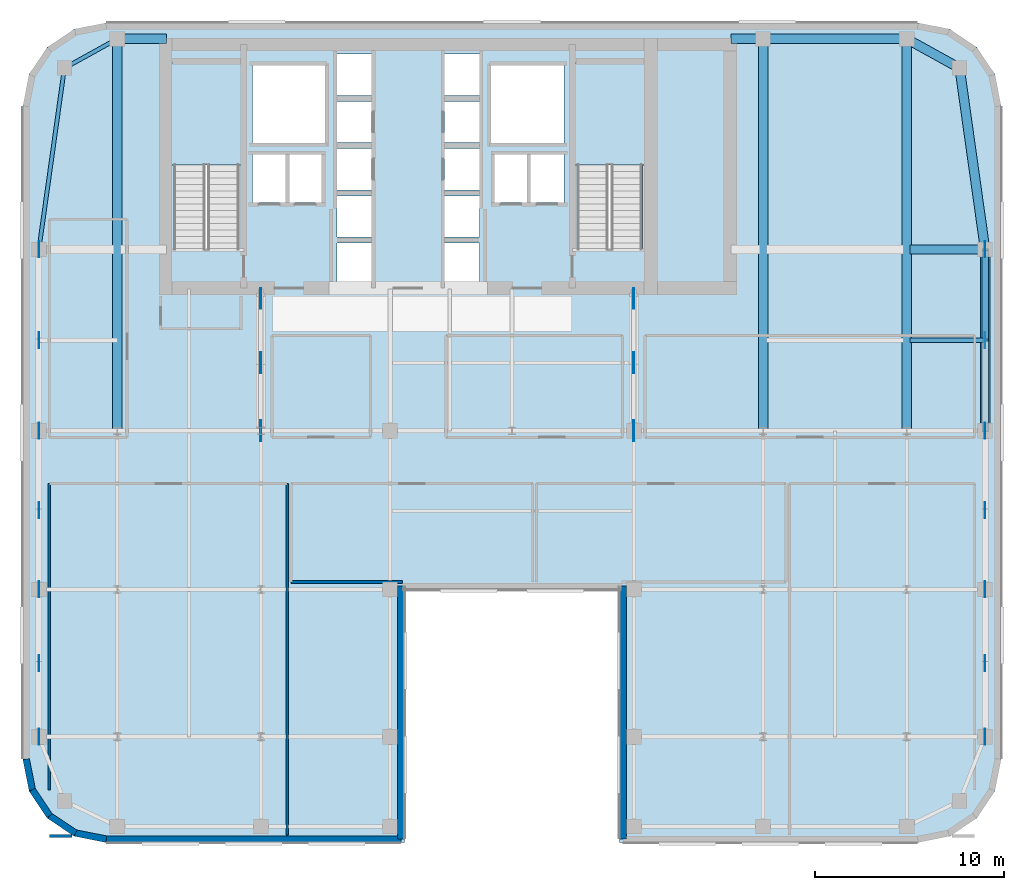
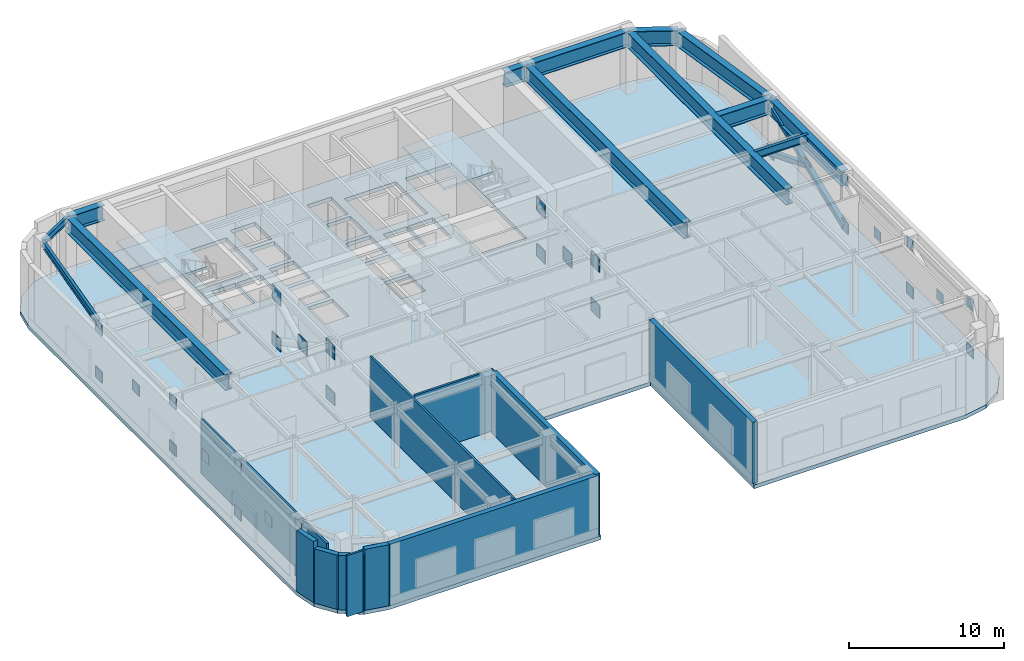
# One storey, part 4 of 12: 32 plates, 13 beams, 11 walls, 3 slabs, 2 members, 2 elements without a shape of their own.
"""IFC4 building model written with IfcOpenShell, lengths in metres."""

import ifcopenshell
import ifcopenshell.guid

model = None  # the IFC model being written
_history = None  # IfcOwnerHistory: only IFC2X3 demands one
_inside = {}  # id of a spatial element -> (the spatial element, [elements in it])
_under = {}  # id of a project, library or spatial element -> (it, [spatial elements below it])
_declared = {}  # id of a project -> (the project, [libraries it declares])
_typed = {}  # id of a type object -> (the type object, [elements of that type])
_made_of = {}  # id of a material, layer set ... -> (it, [elements and type objects made of it])


def new_model(schema):
    """Start an empty IFC model of exactly this schema.

    Asked for "IFC4X3", IfcOpenShell would pick the latest addendum, in which some entities
    have other attributes; the version numbers below select the first issue.
    IFC2X3 requires an IfcOwnerHistory on every rooted entity: one is made here for all.
    """
    global model, _history
    if schema == "IFC4X3":
        model = ifcopenshell.file(schema_version=(4, 3, 0, 0))
    else:
        model = ifcopenshell.file(schema=schema)
    _inside.clear()
    _under.clear()
    _declared.clear()
    _typed.clear()
    _made_of.clear()
    _history = None
    if model.schema == "IFC2X3":
        org = make("IfcOrganization", Name="unknown")
        user = make(
            "IfcPersonAndOrganization",
            ThePerson=make("IfcPerson", FamilyName="unknown"),
            TheOrganization=org,
        )
        app = make(
            "IfcApplication",
            ApplicationDeveloper=org,
            Version="unknown",
            ApplicationFullName="unknown",
            ApplicationIdentifier="unknown",
        )
        _history = make(
            "IfcOwnerHistory",
            OwningUser=user,
            OwningApplication=app,
            ChangeAction="ADDED",
            CreationDate=0,
        )
    return model


def make(cls, **values):
    """One entity of the class cls with the attributes given. An attribute that is None is left unset."""
    return model.create_entity(
        cls, **{name: value for name, value in values.items() if value is not None}
    )


def rooted(cls, **values):
    """An entity with a GlobalId (a new one), such as an element, a storey or a relation."""
    return make(cls, GlobalId=ifcopenshell.guid.new(), OwnerHistory=_history, **values)


def si_unit(unit_type, name, prefix=None):
    """IfcSIUnit, for example si_unit("LENGTHUNIT", "METRE", prefix="MILLI")."""
    return make("IfcSIUnit", UnitType=unit_type, Prefix=prefix, Name=name)


def assignment(units):
    """IfcUnitAssignment: the units of a project."""
    return None if units is None else make("IfcUnitAssignment", Units=units)


def point(xyz):
    """IfcCartesianPoint."""
    return None if xyz is None else make("IfcCartesianPoint", Coordinates=xyz)


def direction(xyz):
    """IfcDirection."""
    return None if xyz is None else make("IfcDirection", DirectionRatios=xyz)


def frame(location, z_axis=None, x_axis=None):
    """IfcAxis2Placement3D, a coordinate frame: its origin and axes. An axis left out is left unset."""
    return make(
        "IfcAxis2Placement3D",
        Location=point(location),
        Axis=direction(z_axis),
        RefDirection=direction(x_axis),
    )


def frame_2d(location, x_axis=None):
    """IfcAxis2Placement2D, a coordinate frame in the plane: its origin and x axis."""
    return make(
        "IfcAxis2Placement2D", Location=point(location), RefDirection=direction(x_axis)
    )


def origin():
    """The frame at (0, 0, 0) with its axes left unset."""
    return frame((0.0, 0.0, 0.0))


def origin_2d():
    """The frame at (0, 0) in the plane with its x axis left unset."""
    return frame_2d((0.0, 0.0))


def place(relative_to, where):
    """IfcLocalPlacement: puts the frame where relative to a parent placement (None: the world)."""
    return make(
        "IfcLocalPlacement", PlacementRelTo=relative_to, RelativePlacement=where
    )


def context(
    kind, dimensions, precision=None, world=None, true_north=None, identifier=None
):
    """IfcGeometricRepresentationContext, for example the 3D "Model" context."""
    return make(
        "IfcGeometricRepresentationContext",
        ContextIdentifier=identifier,
        ContextType=kind,
        CoordinateSpaceDimension=dimensions,
        Precision=precision,
        WorldCoordinateSystem=world,
        TrueNorth=true_north,
    )


def subcontext(parent, identifier, kind, view, scale=None):
    """IfcGeometricRepresentationSubContext, for example "Body" below "Model"."""
    return make(
        "IfcGeometricRepresentationSubContext",
        ContextIdentifier=identifier,
        ContextType=kind,
        ParentContext=parent,
        TargetScale=scale,
        TargetView=view,
    )


def project(units=None, contexts=None):
    """IfcProject with its units and contexts."""
    return rooted(
        "IfcProject",
        Name="project",
        RepresentationContexts=contexts,
        UnitsInContext=assignment(units),
    )


def spatial(cls, under=None, at=None, **own):
    """A site, building, storey or space (cls), placed at a placement, below another one or the project."""
    s = rooted(cls, ObjectPlacement=at, **own)
    if under is not None:
        _under.setdefault(under.id(), (under, []))[1].append(s)
    return s


def polyline(points):
    """IfcPolyline through the points."""
    return make("IfcPolyline", Points=[point(p) for p in points])


def profile(cls, at=None, kind="AREA", **sizes):
    """A parametric profile (cls). Its sizes go by their IFC names, for example OverallWidth=200.0."""
    return make(cls, ProfileType=kind, Position=at, **sizes)


def rectangle(**sizes):
    """IfcRectangleProfileDef."""
    return profile("IfcRectangleProfileDef", **sizes)


def hollow_rectangle(**sizes):
    """IfcRectangleHollowProfileDef."""
    return profile("IfcRectangleHollowProfileDef", **sizes)


def i_section(**sizes):
    """IfcIShapeProfileDef."""
    return profile("IfcIShapeProfileDef", **sizes)


def outline(outer, holes=None, kind="AREA"):
    """IfcArbitraryClosedProfileDef: a profile drawn as a closed curve; with holes, ...WithVoids."""
    if holes is None:
        return make("IfcArbitraryClosedProfileDef", ProfileType=kind, OuterCurve=outer)
    return make(
        "IfcArbitraryProfileDefWithVoids",
        ProfileType=kind,
        OuterCurve=outer,
        InnerCurves=holes,
    )


def extrude(swept, where, along, depth):
    """IfcExtrudedAreaSolid: the profile swept, set in the frame where, extruded along a direction by depth."""
    return make(
        "IfcExtrudedAreaSolid",
        SweptArea=swept,
        Position=where,
        ExtrudedDirection=direction(along),
        Depth=depth,
    )


def shape(context_of_items, identifier, shape_type, items):
    """IfcShapeRepresentation: the items that make up one representation, for example the "Body"."""
    return make(
        "IfcShapeRepresentation",
        ContextOfItems=context_of_items,
        RepresentationIdentifier=identifier,
        RepresentationType=shape_type,
        Items=items,
    )


def source(mapping_origin, context_of_items, identifier, shape_type, items):
    """IfcRepresentationMap: a shape defined once, which mapped items show again and again."""
    return make(
        "IfcRepresentationMap",
        MappingOrigin=mapping_origin,
        MappedRepresentation=shape(context_of_items, identifier, shape_type, items),
    )


def transform(
    local_origin,
    x_axis=None,
    y_axis=None,
    z_axis=None,
    scale=None,
    scale2=None,
    scale3=None,
    uniform=True,
):
    """IfcCartesianTransformationOperator3D, or its non-uniform kind. x_axis, y_axis, z_axis: its Axis1, 2, 3."""
    if uniform:
        return make(
            "IfcCartesianTransformationOperator3D",
            Axis1=direction(x_axis),
            Axis2=direction(y_axis),
            LocalOrigin=point(local_origin),
            Scale=scale,
            Axis3=direction(z_axis),
        )
    return make(
        "IfcCartesianTransformationOperator3DnonUniform",
        Axis1=direction(x_axis),
        Axis2=direction(y_axis),
        LocalOrigin=point(local_origin),
        Scale=scale,
        Axis3=direction(z_axis),
        Scale2=scale2,
        Scale3=scale3,
    )


def mapped(mapping_source, mapping_target):
    """IfcMappedItem: shows the shape of a source again, moved by a transform."""
    return make(
        "IfcMappedItem", MappingSource=mapping_source, MappingTarget=mapping_target
    )


def material(Name=None, Category=None):
    """IfcMaterial."""
    return make("IfcMaterial", Name=Name, Category=Category)


def layer(
    of_material, thickness, ventilated=None, Name=None, Category=None, Priority=None
):
    """IfcMaterialLayer: one layer of a wall or slab, of a material (None: an air gap)."""
    return make(
        "IfcMaterialLayer",
        Material=of_material,
        LayerThickness=thickness,
        IsVentilated=ventilated,
        Name=Name,
        Category=Category,
        Priority=Priority,
    )


def layer_set(layers, Name=None):
    """IfcMaterialLayerSet."""
    return make("IfcMaterialLayerSet", MaterialLayers=layers, LayerSetName=Name)


def material_profile(
    of_material, cross_section, Name=None, Category=None, Priority=None
):
    """IfcMaterialProfile: a cross section and its material."""
    return make(
        "IfcMaterialProfile",
        Name=Name,
        Material=of_material,
        Profile=cross_section,
        Priority=Priority,
        Category=Category,
    )


def profile_set(profiles, Name=None, composite=None):
    """IfcMaterialProfileSet."""
    return make(
        "IfcMaterialProfileSet",
        Name=Name,
        MaterialProfiles=profiles,
        CompositeProfile=composite,
    )


def made_of(thing, what):
    """Note that an element or type object is made of a material, layer set ...; save() writes the relation."""
    if what is not None:
        _made_of.setdefault(what.id(), (what, []))[1].append(thing)
    return thing


def type_object(cls, material=None, **own):
    """A type object (cls), such as IfcWallType, which elements share."""
    return made_of(rooted(cls, **own), material)


def type_shapes(of_type, sources):
    """Give a type object the sources (RepresentationMaps) that its elements show as mapped items."""
    of_type.RepresentationMaps = sources


def element(
    cls,
    number,
    at=None,
    inside=None,
    cuts=None,
    type_object=None,
    material=None,
    context=None,
    identifier="Body",
    shape_type=None,
    held_by="IfcProductDefinitionShape",
    body=None,
    shapes=None,
    **own,
):
    """One element of the class cls, such as IfcWall. Its Tag is "e" and its number.

    at: its placement. inside: the storey or other place that contains it. cuts: it is an
    opening in that element (IfcRelVoidsElement). A single representation is given by context,
    identifier, shape_type and body (its items); several are given by shapes. held_by: the class
    of the entity that holds the representations. save() writes the other relations.
    """
    e = rooted(cls, Tag="e%d" % number, ObjectPlacement=at, **own)
    if body is not None:
        shapes = [shape(context, identifier, shape_type, body)]
    if shapes is not None:
        e.Representation = make(held_by, Representations=shapes)
    if inside is not None:
        _inside.setdefault(inside.id(), (inside, []))[1].append(e)
    if cuts is not None:
        rooted(
            "IfcRelVoidsElement", RelatingBuildingElement=cuts, RelatedOpeningElement=e
        )
    if type_object is not None:
        _typed.setdefault(type_object.id(), (type_object, []))[1].append(e)
    return made_of(e, material)


def aggregate(whole, parts):
    """IfcRelAggregates: a whole, such as a stair, and the parts it consists of."""
    return rooted("IfcRelAggregates", RelatingObject=whole, RelatedObjects=parts)


def save(model, path):
    """Write the relations noted so far, then the file.

    IfcRelAggregates (storeys below a building ...), IfcRelContainedInSpatialStructure (elements
    in a storey), IfcRelDefinesByType, IfcRelAssociatesMaterial and IfcRelDeclares: one each for
    every whole, place, type object, material and project.
    """
    for whole, parts in _under.values():
        aggregate(whole, parts)
    for where, things in _inside.values():
        rooted(
            "IfcRelContainedInSpatialStructure",
            RelatedElements=things,
            RelatingStructure=where,
        )
    for kind, things in _typed.values():
        rooted("IfcRelDefinesByType", RelatedObjects=things, RelatingType=kind)
    for what, things in _made_of.values():
        rooted("IfcRelAssociatesMaterial", RelatedObjects=things, RelatingMaterial=what)
    for by, libraries in _declared.values():
        rooted("IfcRelDeclares", RelatingContext=by, RelatedDefinitions=libraries)
    model.write(path)


model = new_model("IFC4")

# Units and contexts
model_context = context("Model", 3, precision=1e-05, world=origin(), true_north=direction((0.0, 1.0)))
body_context = subcontext(model_context, "Body", "Model", "MODEL_VIEW")
ifc_project = project(units=[si_unit("LENGTHUNIT", "METRE"), si_unit("AREAUNIT", "SQUARE_METRE"), si_unit("VOLUMEUNIT", "CUBIC_METRE"), si_unit("PLANEANGLEUNIT", "RADIAN"), si_unit("MASSUNIT", "GRAM", prefix="KILO")], contexts=[model_context])

# Site, building, storey
site_placement = place(None, origin())
site = spatial("IfcSite", under=ifc_project, at=site_placement, CompositionType="ELEMENT")
building_placement = place(site_placement, origin())
building = spatial("IfcBuilding", under=site, at=building_placement, Name="Tolvann Quenvar Hotel", CompositionType="ELEMENT")
storey_placement = place(building_placement, frame((0.0, 0.0, 182.550048828125)))
storey = spatial("IfcBuildingStorey", under=building, at=storey_placement, Name="L48", CompositionType="ELEMENT", Elevation=182.550048828125)

# Beams
ifc_material_1 = material(Name="Steel Grade 350", Category="steel")
ifc_material_profile_1 = material_profile(ifc_material_1, i_section(OverallWidth=0.5, OverallDepth=1.199951171875, WebThickness=0.01611328125, FlangeThickness=0.0400390625, at=origin_2d()), Name="1200WB455")
ifc_profile_set_1 = profile_set([ifc_material_profile_1], Name="Steel Grade 350")
beam_type_1 = type_object("IfcBeamType", Name="BM_TG_1200WB455", PredefinedType="USERDEFINED", material=ifc_profile_set_1)
shared_shape_1 = source(origin(), body_context, "Body", "SweptSolid", [
    extrude(i_section(OverallWidth=0.5, OverallDepth=1.199951171875, WebThickness=0.01611328125, FlangeThickness=0.0400390625, at=origin_2d()), origin(), (0.0, 0.0, 1.0), 7.599853515625),
])
beam_1_placement = place(storey_placement, frame((49.39990234375, 45.14990234375, 4.219970703125), z_axis=(-1.0, 0.0, 0.0), x_axis=(0.0, -1.0, 0.0)))
element("IfcBeam", 1, at=beam_1_placement, inside=storey, type_object=beam_type_1, Name="BM-L48-FLK-E4", ObjectType="TRANSFER GIRDER", PredefinedType="USERDEFINED", context=body_context, shape_type="MappedRepresentation", body=[
    mapped(shared_shape_1, transform((0.0, 0.0, 0.0), x_axis=(1.0, 0.0, 0.0), y_axis=(0.0, 1.0, 0.0), z_axis=(0.0, 0.0, 1.0), scale=1.0)),
])
shared_shape_2 = source(origin(), body_context, "Body", "SweptSolid", [
    extrude(i_section(OverallWidth=0.5, OverallDepth=1.199951171875, WebThickness=0.01611328125, FlangeThickness=0.0400390625, at=origin_2d()), origin(), (0.0, 0.0, 1.0), 9.60009765625),
])
beam_2_placement = place(storey_placement, frame((53.550048828125, 24.39990234375, 4.219970703125), z_axis=(0.0, 1.0, 0.0), x_axis=(-1.0, 0.0, 0.0)))
element("IfcBeam", 2, at=beam_2_placement, inside=storey, type_object=beam_type_1, Name="BM-L48-FLK-E1", ObjectType="TRANSFER GIRDER", PredefinedType="USERDEFINED", context=body_context, shape_type="MappedRepresentation", body=[
    mapped(shared_shape_2, transform((0.0, 0.0, 0.0), x_axis=(1.0, 0.0, 0.0), y_axis=(0.0, 1.0, 0.0), z_axis=(0.0, 0.0, 1.0), scale=1.0)),
])
shared_shape_3 = source(origin(), body_context, "Body", "SweptSolid", [
    extrude(i_section(OverallWidth=0.5, OverallDepth=1.199951171875, WebThickness=0.01611328125, FlangeThickness=0.0400390625, at=origin_2d()), origin(), (0.0, 0.0, 1.0), 20.75),
])
for number, where, z_axis, x_axis, name in (
    (3, (7.60009765625, 24.39990234375, 4.219970703125), (0.0, 1.0, 0.0), (-1.0, 0.0, 0.0), "BM-L48-FLK-WC"),
    (4, (41.800048828125, 24.39990234375, 4.219970703125), (0.0, 1.0, 0.0), (-1.0, 0.0, 0.0), "BM-L48-FLK-EH"),
    (5, (49.39990234375, 24.39990234375, 4.219970703125), (0.0, 1.0, 0.0), (-1.0, 0.0, 0.0), "BM-L48-FLK-EI"),
):
    element("IfcBeam", number, at=place(storey_placement, frame(where, z_axis=z_axis, x_axis=x_axis)), inside=storey, type_object=beam_type_1, Name=name, ObjectType="TRANSFER GIRDER", PredefinedType="USERDEFINED", context=body_context, shape_type="MappedRepresentation", body=[
        mapped(shared_shape_3, transform((0.0, 0.0, 0.0), x_axis=(1.0, 0.0, 0.0), y_axis=(0.0, 1.0, 0.0), z_axis=(0.0, 0.0, 1.0), scale=1.0)),
    ])
shared_shape_4 = source(origin(), body_context, "Body", "SweptSolid", [
    extrude(i_section(OverallWidth=0.5, OverallDepth=1.199951171875, WebThickness=0.01611328125, FlangeThickness=0.0400390625, at=origin_2d()), origin(), (0.0, 0.0, 1.0), 2.599853515625),
])
beam_3_placement = place(storey_placement, frame((7.60009765625, 45.14990234375, 4.219970703125), z_axis=(1.0, 0.0, 0.0), x_axis=(0.0, 1.0, 0.0)))
element("IfcBeam", 6, at=beam_3_placement, inside=storey, type_object=beam_type_1, Name="BM-L48-CTW-CN", ObjectType="TRANSFER GIRDER", PredefinedType="USERDEFINED", context=body_context, shape_type="MappedRepresentation", body=[
    mapped(shared_shape_4, transform((0.0, 0.0, 0.0), x_axis=(1.0, 0.0, 0.0), y_axis=(0.0, 1.0, 0.0), z_axis=(0.0, 0.0, 1.0), scale=1.0)),
])
shared_shape_5 = source(origin(), body_context, "Body", "SweptSolid", [
    extrude(i_section(OverallWidth=0.5, OverallDepth=1.199951171875, WebThickness=0.01611328125, FlangeThickness=0.0400390625, at=origin_2d()), origin(), (0.0, 0.0, 1.0), 1.699951171875),
])
beam_4_placement = place(storey_placement, frame((40.10009765625, 45.14990234375, 4.219970703125), z_axis=(1.0, 0.0, 0.0), x_axis=(0.0, 1.0, 0.0)))
element("IfcBeam", 7, at=beam_4_placement, inside=storey, type_object=beam_type_1, Name="BM-L48-CTE-HN", ObjectType="TRANSFER GIRDER", PredefinedType="USERDEFINED", context=body_context, shape_type="MappedRepresentation", body=[
    mapped(shared_shape_5, transform((0.0, 0.0, 0.0), x_axis=(1.0, 0.0, 0.0), y_axis=(0.0, 1.0, 0.0), z_axis=(0.0, 0.0, 1.0), scale=1.0)),
])

# Members
ifc_material_2 = material(Name="Steel Grade 450 (C450L0)", Category="steel")
ifc_material_profile_2 = material_profile(ifc_material_2, hollow_rectangle(XDim=0.35009765625, YDim=0.35009765625, WallThickness=0.01611328125, at=origin_2d()), Name="350x350x16SHS")
ifc_profile_set_2 = profile_set([ifc_material_profile_2], Name="Steel Grade 450 (C450L0)")
member_type = type_object("IfcMemberType", Name="MEM_BELT_350SHS", PredefinedType="BRACE", material=ifc_profile_set_2)
shared_shape_6 = source(origin(), body_context, "Body", "SweptSolid", [
    extrude(hollow_rectangle(XDim=0.35009765625, YDim=0.35009765625, WallThickness=0.01611328125, at=origin_2d()), origin(), (0.0, 0.0, 1.0), 10.295654296875),
])
member_1_placement = place(storey_placement, frame((53.550048828125, 24.39990234375, 0.449951171875), z_axis=(0.0, 0.932443662189, 0.361315398016), x_axis=(-1.0, 0.0, 0.0)))
element("IfcMember", 8, at=member_1_placement, inside=storey, type_object=member_type, Name="Belt Truss Primary Brace L48-E3A", PredefinedType="BRACE", context=body_context, shape_type="MappedRepresentation", body=[
    mapped(shared_shape_6, transform((0.0, 0.0, 0.0), x_axis=(1.0, 0.0, 0.0), y_axis=(0.0, 1.0, 0.0), z_axis=(0.0, 0.0, 1.0), scale=1.0)),
])
shared_shape_7 = source(origin(), body_context, "Body", "SweptSolid", [
    extrude(hollow_rectangle(XDim=0.35009765625, YDim=0.35009765625, WallThickness=0.01611328125, at=origin_2d()), origin(), (0.0, 0.0, 1.0), 5.14794921875),
])
type_shapes(member_type, [shared_shape_6, shared_shape_7])
member_2_placement = place(storey_placement, frame((53.550048828125, 34.0, 0.449951171875), z_axis=(0.0, -0.932435672962, 0.36133601507), x_axis=(1.0, 0.0, 0.0)))
element("IfcMember", 9, at=member_2_placement, inside=storey, type_object=member_type, Name="Belt Truss Split Brace Lower L48-E3B1", PredefinedType="BRACE", context=body_context, shape_type="MappedRepresentation", body=[
    mapped(shared_shape_7, transform((0.0, 0.0, 0.0), x_axis=(1.0, 0.0, 0.0), y_axis=(0.0, 1.0, 0.0), z_axis=(0.0, 0.0, 1.0), scale=1.0)),
])

# Beams
ifc_material_profile_3 = material_profile(ifc_material_1, i_section(OverallWidth=0.208984375, OverallDepth=0.528076171875, WebThickness=0.009521484375, FlangeThickness=0.01318359375, FilletRadius=0.013916015625, at=origin_2d()), Name="530UB82")
ifc_profile_set_3 = profile_set([ifc_material_profile_3], Name="Steel Grade 350")
beam_type_2 = type_object("IfcBeamType", Name="BM_SPAND_530UB82", PredefinedType="SPANDREL", material=ifc_profile_set_3)
shared_shape_8 = source(origin(), body_context, "Body", "SweptSolid", [
    extrude(i_section(OverallWidth=0.208984375, OverallDepth=0.528076171875, WebThickness=0.009521484375, FlangeThickness=0.01318359375, FilletRadius=0.013916015625, at=origin_2d()), origin(), (0.0, 0.0, 1.0), 9.694580078125),
])
beam_5_placement = place(storey_placement, frame((3.449951171875, 34.0, 4.555908203125), z_axis=(0.139263320262, 0.990255385055, 0.0), x_axis=(-0.990255385055, 0.139263320262, 0.0)))
element("IfcBeam", 10, at=beam_5_placement, inside=storey, type_object=beam_type_2, Name="BM-L48-FLK-W2", PredefinedType="SPANDREL", context=body_context, shape_type="MappedRepresentation", body=[
    mapped(shared_shape_8, transform((0.0, 0.0, 0.0), x_axis=(1.0, 0.0, 0.0), y_axis=(0.0, 1.0, 0.0), z_axis=(0.0, 0.0, 1.0), scale=1.0)),
])
shared_shape_9 = source(origin(), body_context, "Body", "SweptSolid", [
    extrude(i_section(OverallWidth=0.208984375, OverallDepth=0.528076171875, WebThickness=0.009521484375, FlangeThickness=0.01318359375, FilletRadius=0.013916015625, at=origin_2d()), origin(), (0.0, 0.0, 1.0), 3.200439453125),
])
type_shapes(beam_type_2, [shared_shape_8, shared_shape_9])
beam_6_placement = place(storey_placement, frame((4.800048828125, 43.60009765625, 4.555908203125), z_axis=(0.87492264453, 0.48426270359, 0.0), x_axis=(-0.48426270359, 0.87492264453, 0.0)))
element("IfcBeam", 11, at=beam_6_placement, inside=storey, type_object=beam_type_2, Name="BM-L48-FLK-W3", PredefinedType="SPANDREL", context=body_context, shape_type="MappedRepresentation", body=[
    mapped(shared_shape_9, transform((0.0, 0.0, 0.0), x_axis=(1.0, 0.0, 0.0), y_axis=(0.0, 1.0, 0.0), z_axis=(0.0, 0.0, 1.0), scale=1.0)),
])
shared_shape_10 = source(origin(), body_context, "Body", "SweptSolid", [
    extrude(i_section(OverallWidth=0.5, OverallDepth=1.199951171875, WebThickness=0.01611328125, FlangeThickness=0.0400390625, at=origin_2d()), origin(), (0.0, 0.0, 1.0), 3.969970703125),
])
beam_7_placement = place(storey_placement, frame((49.580078125, 34.0, 4.219970703125), z_axis=(1.0, 0.0, 0.0), x_axis=(0.0, 1.0, 0.0)))
element("IfcBeam", 12, at=beam_7_placement, inside=storey, type_object=beam_type_1, Name="BM-L48-CTE-JD6C", ObjectType="TRANSFER GIRDER", PredefinedType="USERDEFINED", context=body_context, shape_type="MappedRepresentation", body=[
    mapped(shared_shape_10, transform((0.0, 0.0, 0.0), x_axis=(1.0, 0.0, 0.0), y_axis=(0.0, 1.0, 0.0), z_axis=(0.0, 0.0, 1.0), scale=1.0)),
])
shared_shape_11 = source(origin(), body_context, "Body", "SweptSolid", [
    extrude(i_section(OverallWidth=0.5, OverallDepth=1.199951171875, WebThickness=0.01611328125, FlangeThickness=0.0400390625, at=origin_2d()), origin(), (0.0, 0.0, 1.0), 9.694580078125),
])
beam_8_placement = place(storey_placement, frame((53.550048828125, 34.0, 4.219970703125), z_axis=(-0.139263320262, 0.990255385055, 0.0), x_axis=(-0.990255385055, -0.139263320262, 0.0)))
element("IfcBeam", 13, at=beam_8_placement, inside=storey, type_object=beam_type_1, Name="BM-L48-FLK-E2", ObjectType="TRANSFER GIRDER", PredefinedType="USERDEFINED", context=body_context, shape_type="MappedRepresentation", body=[
    mapped(shared_shape_11, transform((0.0, 0.0, 0.0), x_axis=(1.0, 0.0, 0.0), y_axis=(0.0, 1.0, 0.0), z_axis=(0.0, 0.0, 1.0), scale=1.0)),
])
shared_shape_12 = source(origin(), body_context, "Body", "SweptSolid", [
    extrude(i_section(OverallWidth=0.5, OverallDepth=1.199951171875, WebThickness=0.01611328125, FlangeThickness=0.0400390625, at=origin_2d()), origin(), (0.0, 0.0, 1.0), 3.200439453125),
])
type_shapes(beam_type_1, [shared_shape_1, shared_shape_2, shared_shape_3, shared_shape_4, shared_shape_5, shared_shape_10, shared_shape_11, shared_shape_12])
beam_9_placement = place(storey_placement, frame((52.199951171875, 43.60009765625, 4.219970703125), z_axis=(-0.87492264453, 0.48426270359, 0.0), x_axis=(-0.48426270359, -0.87492264453, 0.0)))
element("IfcBeam", 14, at=beam_9_placement, inside=storey, type_object=beam_type_1, Name="BM-L48-FLK-E3", ObjectType="TRANSFER GIRDER", PredefinedType="USERDEFINED", context=body_context, shape_type="MappedRepresentation", body=[
    mapped(shared_shape_12, transform((0.0, 0.0, 0.0), x_axis=(1.0, 0.0, 0.0), y_axis=(0.0, 1.0, 0.0), z_axis=(0.0, 0.0, 1.0), scale=1.0)),
])
ifc_material_profile_4 = material_profile(ifc_material_1, i_section(OverallWidth=0.22802734375, OverallDepth=0.60205078125, WebThickness=0.010498046875, FlangeThickness=0.014892578125, FilletRadius=0.013916015625, at=origin_2d()), Name="610UB101")
ifc_profile_set_4 = profile_set([ifc_material_profile_4], Name="Steel Grade 350")
beam_type_3 = type_object("IfcBeamType", Name="BM_GIRD_610UB101", PredefinedType="BEAM", material=ifc_profile_set_4)
shared_shape_13 = source(origin(), body_context, "Body", "SweptSolid", [
    extrude(i_section(OverallWidth=0.22802734375, OverallDepth=0.60205078125, WebThickness=0.010498046875, FlangeThickness=0.014892578125, FilletRadius=0.013916015625, at=origin_2d()), origin(), (0.0, 0.0, 1.0), 3.969970703125),
])
type_shapes(beam_type_3, [shared_shape_13])
beam_10_placement = place(storey_placement, frame((49.580078125, 29.199951171875, 4.51904296875), z_axis=(1.0, 0.0, 0.0), x_axis=(0.0, 1.0, 0.0)))
element("IfcBeam", 15, at=beam_10_placement, inside=storey, type_object=beam_type_3, Name="BM-L48-EW-IJ29", PredefinedType="BEAM", context=body_context, shape_type="MappedRepresentation", body=[
    mapped(shared_shape_13, transform((0.0, 0.0, 0.0), x_axis=(1.0, 0.0, 0.0), y_axis=(0.0, 1.0, 0.0), z_axis=(0.0, 0.0, 1.0), scale=1.0)),
])

# Stair, slab
ifc_material_3 = material(Name="Concrete N40 (40 MPa)", Category="concrete")
stair_type = type_object("IfcStairType", Name="STAIR", PredefinedType="HALF_TURN_STAIR", material=ifc_material_3)
stair_1_placement = place(storey_placement, origin())
stair_1 = element("IfcStair", 16, at=stair_1_placement, inside=storey, type_object=stair_type, Name="L48 ST-C1", PredefinedType="HALF_TURN_STAIR")
ifc_layer_1 = layer(ifc_material_3, 0.199951171875)
ifc_layer_set_1 = layer_set([ifc_layer_1], Name="Concrete N40 (40 MPa)")
slab_type_1 = type_object("IfcSlabType", Name="SLAB_LANDING", PredefinedType="LANDING", material=ifc_layer_set_1)
slab_1_placement = place(storey_placement, frame((0.0, 0.0, 2.300048828125)))
slab_1 = element("IfcSlab", 17, at=slab_1_placement, type_object=slab_type_1, Name="ST-C1 landing 1", PredefinedType="LANDING", context=body_context, shape_type="SweptSolid", body=[
    extrude(outline(polyline([(14.179931640625, 38.485107421875), (14.179931640625, 43.8798828125), (10.469970703125, 43.8798828125), (10.469970703125, 38.485107421875), (14.179931640625, 38.485107421875)])), origin(), (0.0, 0.0, 1.0), 0.199951171875),
])
aggregate(stair_1, [slab_1])

stair_2_placement = place(storey_placement, origin())
stair_2 = element("IfcStair", 18, at=stair_2_placement, inside=storey, type_object=stair_type, Name="L48 ST-C2", PredefinedType="HALF_TURN_STAIR")
slab_2_placement = place(storey_placement, frame((0.0, 0.0, 2.300048828125)))
slab_2 = element("IfcSlab", 19, at=slab_2_placement, type_object=slab_type_1, Name="ST-C2 landing 1", PredefinedType="LANDING", context=body_context, shape_type="SweptSolid", body=[
    extrude(outline(polyline([(35.530029296875, 38.485107421875), (35.530029296875, 43.8798828125), (31.820068359375, 43.8798828125), (31.820068359375, 38.485107421875), (35.530029296875, 38.485107421875)])), origin(), (0.0, 0.0, 1.0), 0.199951171875),
])
aggregate(stair_2, [slab_2])

# Slab
ifc_material_4 = material(Name="Concrete N50 (50 MPa)", Category="concrete")
ifc_layer_2 = layer(ifc_material_4, 0.300048828125)
ifc_layer_set_2 = layer_set([ifc_layer_2], Name="Concrete N50 (50 MPa)")
slab_type_2 = type_object("IfcSlabType", Name="SLAB_PLANT_300", PredefinedType="FLOOR", material=ifc_layer_set_2)
slab_3_placement = place(storey_placement, frame((0.0, 0.0, -0.300048828125)))
element("IfcSlab", 20, at=slab_3_placement, inside=storey, type_object=slab_type_2, Name="Level L48 Structural Floor Slab", PredefinedType="FLOOR", context=body_context, shape_type="SweptSolid", body=[
    extrude(outline(polyline([(2.60009765625, 7.0), (2.934814453125, 5.316162109375), (3.888671875, 3.888671875), (5.316162109375, 2.934814453125), (7.0, 2.60009765625), (22.800048828125, 2.60009765625), (22.800048828125, 16.0), (34.199951171875, 16.0), (34.199951171875, 2.60009765625), (50.0, 2.60009765625), (51.683837890625, 2.934814453125), (53.111328125, 3.888671875), (54.065185546875, 5.316162109375), (54.39990234375, 7.0), (54.39990234375, 41.60009765625), (54.065185546875, 43.28369140625), (53.111328125, 44.711181640625), (51.683837890625, 45.6650390625), (50.0, 46.0), (7.0, 46.0), (5.316162109375, 45.6650390625), (3.888671875, 44.711181640625), (2.934814453125, 43.28369140625), (2.60009765625, 41.60009765625), (2.60009765625, 7.0)]), holes=[polyline([(31.949951171875, 34.02490234375), (31.949951171875, 43.800048828125), (35.39990234375, 43.800048828125), (35.39990234375, 34.02490234375), (31.949951171875, 34.02490234375)]), polyline([(29.449951171875, 39.02001953125), (31.25, 39.02001953125), (31.25, 36.47998046875), (29.449951171875, 36.47998046875), (29.449951171875, 39.02001953125)]), polyline([(31.25, 43.75), (31.25, 39.64990234375), (27.39990234375, 39.64990234375), (27.39990234375, 43.75), (31.25, 43.75)]), polyline([(27.574951171875, 39.02001953125), (29.324951171875, 39.02001953125), (29.324951171875, 36.47998046875), (27.574951171875, 36.47998046875), (27.574951171875, 39.02001953125)]), polyline([(26.77001953125, 44.340087890625), (26.77001953125, 42.159912109375), (24.929931640625, 42.159912109375), (24.929931640625, 44.340087890625), (26.77001953125, 44.340087890625)]), polyline([(24.929931640625, 41.840087890625), (26.77001953125, 41.840087890625), (26.77001953125, 39.659912109375), (24.929931640625, 39.659912109375), (24.929931640625, 41.840087890625)]), polyline([(24.929931640625, 39.340087890625), (26.77001953125, 39.340087890625), (26.77001953125, 37.159912109375), (24.929931640625, 37.159912109375), (24.929931640625, 39.340087890625)]), polyline([(24.929931640625, 36.840087890625), (26.77001953125, 36.840087890625), (26.77001953125, 34.659912109375), (24.929931640625, 34.659912109375), (24.929931640625, 36.840087890625)]), polyline([(24.929931640625, 34.340087890625), (26.77001953125, 34.340087890625), (26.77001953125, 32.159912109375), (24.929931640625, 32.159912109375), (24.929931640625, 34.340087890625)]), polyline([(21.070068359375, 44.340087890625), (21.070068359375, 42.159912109375), (19.22998046875, 42.159912109375), (19.22998046875, 44.340087890625), (21.070068359375, 44.340087890625)]), polyline([(19.22998046875, 41.840087890625), (21.070068359375, 41.840087890625), (21.070068359375, 39.659912109375), (19.22998046875, 39.659912109375), (19.22998046875, 41.840087890625)]), polyline([(19.22998046875, 39.340087890625), (21.070068359375, 39.340087890625), (21.070068359375, 37.159912109375), (19.22998046875, 37.159912109375), (19.22998046875, 39.340087890625)]), polyline([(19.22998046875, 36.840087890625), (21.070068359375, 36.840087890625), (21.070068359375, 34.659912109375), (19.22998046875, 34.659912109375), (19.22998046875, 36.840087890625)]), polyline([(19.22998046875, 34.340087890625), (21.070068359375, 34.340087890625), (21.070068359375, 32.159912109375), (19.22998046875, 32.159912109375), (19.22998046875, 34.340087890625)]), polyline([(18.60009765625, 43.75), (18.60009765625, 39.64990234375), (14.75, 39.64990234375), (14.75, 43.75), (18.60009765625, 43.75)]), polyline([(16.675048828125, 39.02001953125), (18.425048828125, 39.02001953125), (18.425048828125, 36.47998046875), (16.675048828125, 36.47998046875), (16.675048828125, 39.02001953125)]), polyline([(14.75, 39.02001953125), (16.550048828125, 39.02001953125), (16.550048828125, 36.47998046875), (14.75, 36.47998046875), (14.75, 39.02001953125)]), polyline([(10.60009765625, 34.02490234375), (10.60009765625, 43.800048828125), (14.050048828125, 43.800048828125), (14.050048828125, 34.02490234375), (10.60009765625, 34.02490234375)])]), origin(), (0.0, 0.0, 1.0), 0.300048828125),
])

# Plates
ifc_layer_3 = layer(ifc_material_1, 0.0400390625)
ifc_layer_set_3 = layer_set([ifc_layer_3], Name="Steel Grade 350")
plate_type_1 = type_object("IfcPlateType", Name="PLT_GUSSET_40", PredefinedType="USERDEFINED", material=ifc_layer_set_3)
shared_shape_14 = source(origin(), body_context, "Body", "SweptSolid", [
    extrude(rectangle(XDim=0.0400390625, YDim=1.10009765625, at=origin_2d()), origin(), (0.0, 0.0, 1.0), 1.10009765625),
])
type_shapes(plate_type_1, [shared_shape_14])
for number, where, z_axis, x_axis, name in (
    (21, (15.199951171875, 28.0, 1.760009765625), (0.0, 0.0, 1.0), (1.0, 0.0, 0.0), "Outrigger X-Crossing Gusset Plate ON2 (L48-1)"),
    (22, (15.199951171875, 31.39990234375, -0.10009765625), (0.0, 0.0, 1.0), (1.0, 0.0, 0.0), "Outrigger Node Gusset Plate ON1 (L48-1-1)"),
    (23, (15.199951171875, 31.39990234375, 3.619873046875), (0.0, 0.0, 1.0), (1.0, 0.0, 0.0), "Outrigger Node Gusset Plate ON1 (L48-1-2)"),
    (24, (15.199951171875, 24.39990234375, -0.10009765625), (0.0, 0.0, 1.0), (1.0, 0.0, 0.0), "Outrigger Node Gusset Plate ON1 (L48-1-3)"),
    (25, (15.199951171875, 24.39990234375, 3.619873046875), (0.0, 0.0, 1.0), (1.0, 0.0, 0.0), "Outrigger Node Gusset Plate ON1 (L48-1-4)"),
    (26, (34.949951171875, 28.0, 1.760009765625), (0.0, 0.0, 1.0), (1.0, 0.0, 0.0), "Outrigger X-Crossing Gusset Plate ON2 (L48-2)"),
    (27, (34.949951171875, 31.39990234375, -0.10009765625), (0.0, 0.0, 1.0), (1.0, 0.0, 0.0), "Outrigger Node Gusset Plate ON1 (L48-2-1)"),
    (28, (34.949951171875, 31.39990234375, 3.619873046875), (0.0, 0.0, 1.0), (1.0, 0.0, 0.0), "Outrigger Node Gusset Plate ON1 (L48-2-2)"),
    (29, (34.949951171875, 24.39990234375, -0.10009765625), (0.0, 0.0, 1.0), (1.0, 0.0, 0.0), "Outrigger Node Gusset Plate ON1 (L48-2-3)"),
    (30, (34.949951171875, 24.39990234375, 3.619873046875), (0.0, 0.0, 1.0), (1.0, 0.0, 0.0), "Outrigger Node Gusset Plate ON1 (L48-2-4)"),
):
    element("IfcPlate", number, at=place(storey_placement, frame(where, z_axis=z_axis, x_axis=x_axis)), inside=storey, type_object=plate_type_1, Name=name, ObjectType="GUSSET PLATE", PredefinedType="USERDEFINED", context=body_context, shape_type="MappedRepresentation", body=[
        mapped(shared_shape_14, transform((0.0, 0.0, 0.0), x_axis=(1.0, 0.0, 0.0), y_axis=(0.0, 1.0, 0.0), z_axis=(0.0, 0.0, 1.0), scale=1.0)),
    ])
ifc_layer_4 = layer(ifc_material_1, 0.031982421875)
ifc_layer_set_4 = layer_set([ifc_layer_4], Name="Steel Grade 350")
plate_type_2 = type_object("IfcPlateType", Name="PLT_GUSSET_32", PredefinedType="USERDEFINED", material=ifc_layer_set_4)
shared_shape_15 = source(origin(), body_context, "Body", "SweptSolid", [
    extrude(rectangle(XDim=0.031982421875, YDim=0.85009765625, at=origin_2d()), origin(), (0.0, 0.0, 1.0), 0.85009765625),
])
type_shapes(plate_type_2, [shared_shape_15])
for number, where, z_axis, x_axis, name in (
    (31, (3.449951171875, 12.10009765625, 1.885009765625), (0.0, 0.0, 1.0), (1.0, 0.0, 0.0), "Belt Truss X-Crossing Gusset Plate BN2 (L48-W1)"),
    (32, (3.449951171875, 8.199951171875, 0.02490234375), (0.0, 0.0, 1.0), (1.0, 0.0, 0.0), "Belt Truss Node Gusset Plate BN1 (L48-W1-1)"),
    (33, (3.449951171875, 8.199951171875, 3.744873046875), (0.0, 0.0, 1.0), (1.0, 0.0, 0.0), "Belt Truss Node Gusset Plate BN1 (L48-W1-2)"),
    (34, (53.550048828125, 12.10009765625, 1.885009765625), (0.0, 0.0, 1.0), (1.0, 0.0, 0.0), "Belt Truss X-Crossing Gusset Plate BN2 (L48-E1)"),
    (35, (53.550048828125, 8.199951171875, 0.02490234375), (0.0, 0.0, 1.0), (1.0, 0.0, 0.0), "Belt Truss Node Gusset Plate BN1 (L48-E1-1)"),
    (36, (53.550048828125, 8.199951171875, 3.744873046875), (0.0, 0.0, 1.0), (1.0, 0.0, 0.0), "Belt Truss Node Gusset Plate BN1 (L48-E1-2)"),
    (37, (3.449951171875, 20.199951171875, 1.885009765625), (0.0, 0.0, 1.0), (1.0, 0.0, 0.0), "Belt Truss X-Crossing Gusset Plate BN2 (L48-W2)"),
    (38, (3.449951171875, 16.0, 0.02490234375), (0.0, 0.0, 1.0), (1.0, 0.0, 0.0), "Belt Truss Node Gusset Plate BN1 (L48-W2-1)"),
    (39, (3.449951171875, 16.0, 3.744873046875), (0.0, 0.0, 1.0), (1.0, 0.0, 0.0), "Belt Truss Node Gusset Plate BN1 (L48-W2-2)"),
    (40, (53.550048828125, 20.199951171875, 1.885009765625), (0.0, 0.0, 1.0), (1.0, 0.0, 0.0), "Belt Truss X-Crossing Gusset Plate BN2 (L48-E2)"),
    (41, (53.550048828125, 16.0, 0.02490234375), (0.0, 0.0, 1.0), (1.0, 0.0, 0.0), "Belt Truss Node Gusset Plate BN1 (L48-E2-1)"),
    (42, (53.550048828125, 16.0, 3.744873046875), (0.0, 0.0, 1.0), (1.0, 0.0, 0.0), "Belt Truss Node Gusset Plate BN1 (L48-E2-2)"),
    (43, (3.449951171875, 29.199951171875, 1.885009765625), (0.0, 0.0, 1.0), (1.0, 0.0, 0.0), "Belt Truss X-Crossing Gusset Plate BN2 (L48-W3)"),
    (44, (3.449951171875, 24.39990234375, 0.02490234375), (0.0, 0.0, 1.0), (1.0, 0.0, 0.0), "Belt Truss Node Gusset Plate BN1 (L48-W3-1)"),
    (45, (3.449951171875, 24.39990234375, 3.744873046875), (0.0, 0.0, 1.0), (1.0, 0.0, 0.0), "Belt Truss Node Gusset Plate BN1 (L48-W3-2)"),
    (46, (3.449951171875, 34.0, 0.02490234375), (0.0, 0.0, 1.0), (1.0, 0.0, 0.0), "Belt Truss Node Gusset Plate BN1 (L48-W3-3)"),
    (47, (3.449951171875, 34.0, 3.744873046875), (0.0, 0.0, 1.0), (1.0, 0.0, 0.0), "Belt Truss Node Gusset Plate BN1 (L48-W3-4)"),
    (48, (53.550048828125, 29.199951171875, 1.885009765625), (0.0, 0.0, 1.0), (1.0, 0.0, 0.0), "Belt Truss X-Crossing Gusset Plate BN2 (L48-E3)"),
    (49, (53.550048828125, 24.39990234375, 0.02490234375), (0.0, 0.0, 1.0), (1.0, 0.0, 0.0), "Belt Truss Node Gusset Plate BN1 (L48-E3-1)"),
    (50, (53.550048828125, 24.39990234375, 3.744873046875), (0.0, 0.0, 1.0), (1.0, 0.0, 0.0), "Belt Truss Node Gusset Plate BN1 (L48-E3-2)"),
    (51, (53.550048828125, 34.0, 0.02490234375), (0.0, 0.0, 1.0), (1.0, 0.0, 0.0), "Belt Truss Node Gusset Plate BN1 (L48-E3-3)"),
    (52, (53.550048828125, 34.0, 3.744873046875), (0.0, 0.0, 1.0), (1.0, 0.0, 0.0), "Belt Truss Node Gusset Plate BN1 (L48-E3-4)"),
):
    element("IfcPlate", number, at=place(storey_placement, frame(where, z_axis=z_axis, x_axis=x_axis)), inside=storey, type_object=plate_type_2, Name=name, ObjectType="GUSSET PLATE", PredefinedType="USERDEFINED", context=body_context, shape_type="MappedRepresentation", body=[
        mapped(shared_shape_15, transform((0.0, 0.0, 0.0), x_axis=(1.0, 0.0, 0.0), y_axis=(0.0, 1.0, 0.0), z_axis=(0.0, 0.0, 1.0), scale=1.0)),
    ])

# Walls
ifc_material_5 = material(Name="Kiln-fired red and buff architectural clay brickwork and terracotta masonry", Category="masonry")
ifc_layer_5 = layer(ifc_material_5, 0.35009765625)
ifc_layer_set_5 = layer_set([ifc_layer_5], Name="Kiln-fired red and buff architectural clay brickwork and terracotta masonry")
wall_type_1 = type_object("IfcWallType", Name="WALL_EXT_BRICK_350", PredefinedType="SOLIDWALL", material=ifc_layer_set_5)
for number, where, z_axis, x_axis, name in (
    (53, (3.099609375, 5.384521484375, 0.0), (0.0, 0.0, 1.0), (0.555623290322, -0.831434158098, 0.0), "Exterior Chicago Brick Wall L48-E01"),
    (54, (4.014892578125, 4.014892578125, 0.0), (0.0, 0.0, 1.0), (0.831434158098, -0.555623290322, 0.0), "Exterior Chicago Brick Wall L48-E02"),
):
    element("IfcWall", number, at=place(storey_placement, frame(where, z_axis=z_axis, x_axis=x_axis)), inside=storey, type_object=wall_type_1, Name=name, PredefinedType="SOLIDWALL", context=body_context, shape_type="SweptSolid", body=[
        extrude(rectangle(XDim=1.647216796875, YDim=0.35009765625, at=frame_2d((0.82373046875, 0.0))), origin(), (0.0, 0.0, 1.0), 4.281982421875),
    ])
wall_1_placement = place(storey_placement, frame((5.384521484375, 3.099609375, 0.0), z_axis=(0.0, 0.0, 1.0), x_axis=(0.980788844421, -0.195072403631, 0.0)))
element("IfcWall", 55, at=wall_1_placement, inside=storey, type_object=wall_type_1, Name="Exterior Chicago Brick Wall L48-E03", PredefinedType="SOLIDWALL", context=body_context, shape_type="SweptSolid", body=[
    extrude(rectangle(XDim=1.66455078125, YDim=0.35009765625, at=frame_2d((0.832275390625, 0.0))), origin(), (0.0, 0.0, 1.0), 4.820068359375),
])
wall_2_placement = place(storey_placement, frame((7.01708984375, 2.77490234375, 0.0), z_axis=(0.0, 0.0, 1.0), x_axis=(1.0, 0.0, 0.0)))
element("IfcWall", 56, at=wall_2_placement, inside=storey, type_object=wall_type_1, Name="Exterior Chicago Brick Wall L48-E04", PredefinedType="SOLIDWALL", context=body_context, shape_type="SweptSolid", body=[
    extrude(rectangle(XDim=15.60791015625, YDim=0.35009765625, at=frame_2d((7.803955078125, 0.0))), origin(), (0.0, 0.0, 1.0), 4.820068359375),
])
for number, where, z_axis, x_axis, name in (
    (57, (22.625, 2.77490234375, 0.0), (0.0, 0.0, 1.0), (0.0, 1.0, 0.0), "Exterior Chicago Brick Wall L48-E05"),
    (58, (34.375, 16.175048828125, 0.0), (0.0, 0.0, 1.0), (0.0, -1.0, 0.0), "Exterior Chicago Brick Wall L48-E07"),
):
    element("IfcWall", number, at=place(storey_placement, frame(where, z_axis=z_axis, x_axis=x_axis)), inside=storey, type_object=wall_type_1, Name=name, PredefinedType="SOLIDWALL", context=body_context, shape_type="SweptSolid", body=[
        extrude(rectangle(XDim=13.400146484375, YDim=0.35009765625, at=frame_2d((6.7001953125, 0.0))), origin(), (0.0, 0.0, 1.0), 4.820068359375),
    ])
wall_3_placement = place(storey_placement, frame((2.77490234375, 7.01708984375, 0.0), z_axis=(0.0, 0.0, 1.0), x_axis=(0.195072403631, -0.980788844421, 0.0)))
element("IfcWall", 59, at=wall_3_placement, inside=storey, type_object=wall_type_1, Name="Exterior Chicago Brick Wall L48-E24", PredefinedType="SOLIDWALL", context=body_context, shape_type="SweptSolid", body=[
    extrude(rectangle(XDim=1.66455078125, YDim=0.35009765625, at=frame_2d((0.832275390625, 0.0))), origin(), (0.0, 0.0, 1.0), 4.820068359375),
])
ifc_material_6 = material(Name="Acoustic twin-stud fire-rated gypsum plasterboard partition")
ifc_layer_6 = layer(ifc_material_6, 0.14990234375)
ifc_layer_set_6 = layer_set([ifc_layer_6], Name="Acoustic twin-stud fire-rated gypsum plasterboard partition")
wall_type_2 = type_object("IfcWallType", Name="WALL_PART_SUITE_150", PredefinedType="PARTITIONING", material=ifc_layer_set_6)
wall_4_placement = place(storey_placement, frame((4.0, 2.949951171875, 0.0), z_axis=(0.0, 0.0, 1.0), x_axis=(1.0, 0.0, 0.0)))
element("IfcWall", 60, at=wall_4_placement, inside=storey, type_object=wall_type_2, Name="Interior Partition PT-SPC-L48-CHIL-S", PredefinedType="PARTITIONING", context=body_context, shape_type="SweptSolid", body=[
    extrude(rectangle(XDim=1.195068359375, YDim=0.14990234375, at=frame_2d((0.59765625, 0.0))), origin(), (0.0, 0.0, 1.0), 4.820068359375),
])
wall_5_placement = place(storey_placement, frame((4.0, 5.385009765625, 0.0), z_axis=(0.0, 0.0, 1.0), x_axis=(0.0, 1.0, 0.0)))
element("IfcWall", 61, at=wall_5_placement, inside=storey, type_object=wall_type_2, Name="Interior Partition PT-SPC-L48-CHIL-W", PredefinedType="PARTITIONING", context=body_context, shape_type="SweptSolid", body=[
    extrude(rectangle(XDim=16.215087890625, YDim=0.14990234375, at=frame_2d((8.107421875, 0.0))), origin(), (0.0, 0.0, 1.0), 4.281982421875),
])
wall_6_placement = place(storey_placement, frame((16.60009765625, 3.0048828125, 0.0), z_axis=(0.0, 0.0, 1.0), x_axis=(0.0, 1.0, 0.0)))
element("IfcWall", 62, at=wall_6_placement, inside=storey, type_object=wall_type_2, Name="Interior Partition PT-SPC-L48-CHIL-E", PredefinedType="PARTITIONING", context=body_context, shape_type="SweptSolid", body=[
    extrude(rectangle(XDim=18.59521484375, YDim=0.14990234375, at=frame_2d((9.297607421875, 0.0))), origin(), (0.0, 0.0, 1.0), 4.820068359375),
])
wall_7_placement = place(storey_placement, frame((16.800048828125, 16.39990234375, 0.0), z_axis=(0.0, 0.0, 1.0), x_axis=(1.0, 0.0, 0.0)))
element("IfcWall", 63, at=wall_7_placement, inside=storey, type_object=wall_type_2, Name="Interior Partition PT-SPC-L48-AHU-S", PredefinedType="PARTITIONING", context=body_context, shape_type="SweptSolid", body=[
    extrude(rectangle(XDim=5.909912109375, YDim=0.14990234375, at=frame_2d((2.955078125, 0.0))), origin(), (0.0, 0.0, 1.0), 4.820068359375),
])

save(model, "model.ifc")
